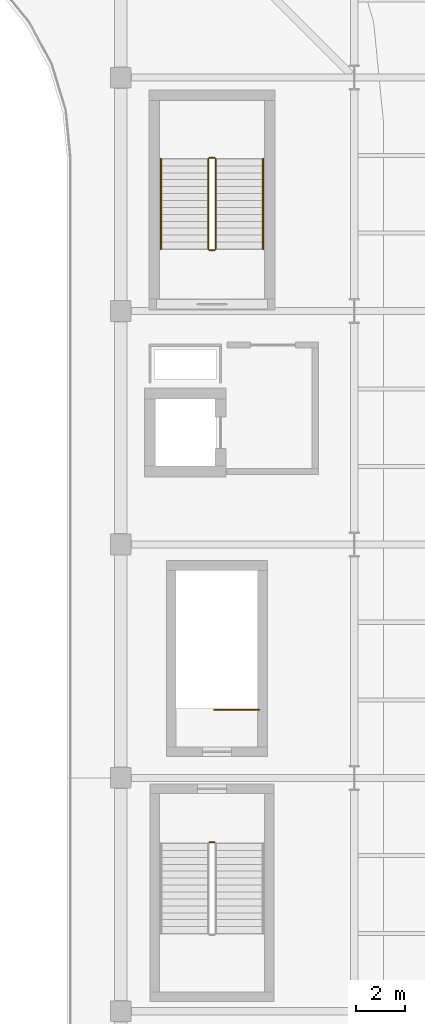
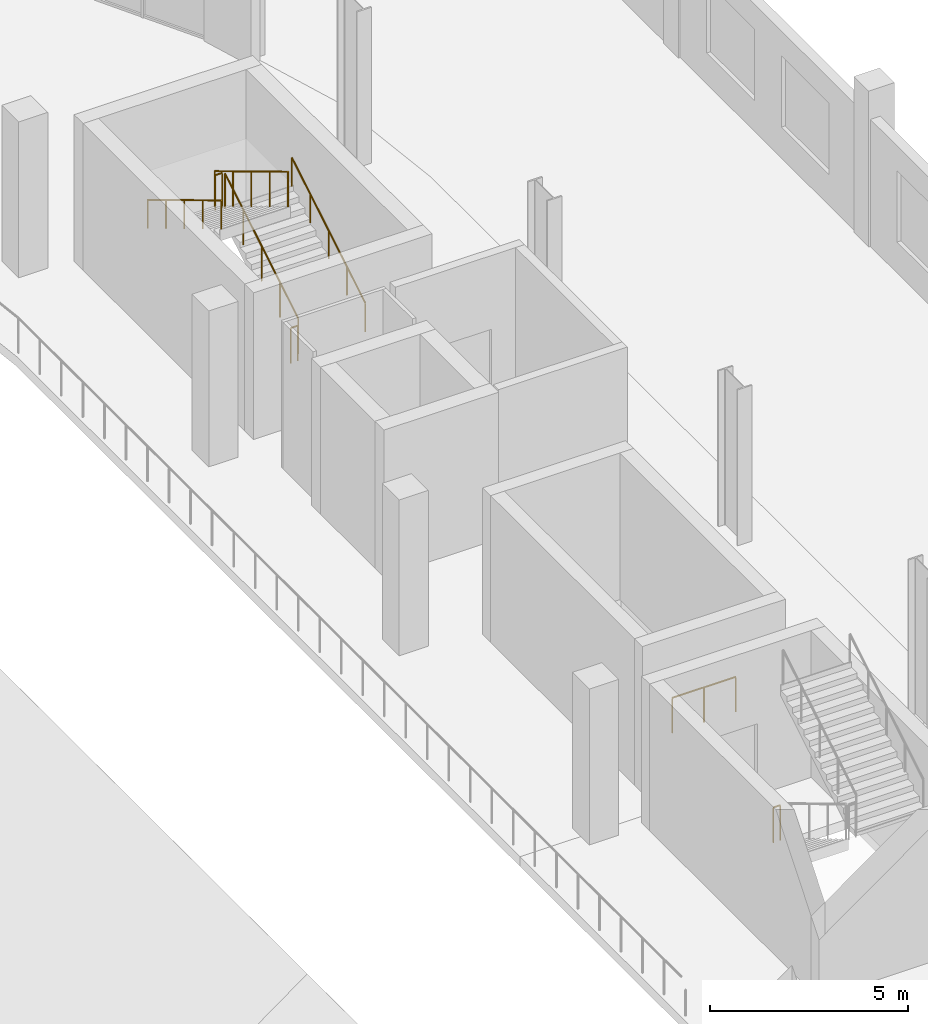
# One storey, part 95 of 99: 8 railings.
"""IFC4 building model written with IfcOpenShell, lengths in metres."""

from ifc_helpers import new_model, si_unit, direction, frame, origin, origin_2d, place, context, subcontext, project, spatial, circle, extrude, material, type_object, element, save


model = new_model("IFC4")

# Units and contexts
model_context = context("Model", 3, precision=1e-05, world=origin(), true_north=direction((0.0, 1.0)))
body_context = subcontext(model_context, "Body", "Model", "MODEL_VIEW")
ifc_project = project(units=[si_unit("LENGTHUNIT", "METRE"), si_unit("AREAUNIT", "SQUARE_METRE"), si_unit("VOLUMEUNIT", "CUBIC_METRE"), si_unit("PLANEANGLEUNIT", "RADIAN"), si_unit("MASSUNIT", "GRAM", prefix="KILO")], contexts=[model_context])

# Site, building, storey
site_placement = place(None, origin())
site = spatial("IfcSite", under=ifc_project, at=site_placement, CompositionType="ELEMENT")
building_placement = place(site_placement, origin())
building = spatial("IfcBuilding", under=site, at=building_placement, Name="Caelomonte Colonnade Arena", CompositionType="ELEMENT")
storey_placement = place(building_placement, frame((0.0, 0.0, 4.800048828125)))
storey = spatial("IfcBuildingStorey", under=building, at=storey_placement, Name="L01", CompositionType="ELEMENT", Elevation=4.800048828125)

# Railings
ifc_material_1 = material(Name="Painted galvanized steel stair guard", Category="steel")
railing_type_1 = type_object("IfcRailingType", Name="INT-RL-GRD", PredefinedType="GUARDRAIL", material=ifc_material_1)
railing_1_placement = place(storey_placement, frame((157.5, 88.949951171875, 0.17138671875)))
element("IfcRailing", 1, at=railing_1_placement, inside=storey, type_object=railing_type_1, Name="L01 ST-03 stair guard 1", PredefinedType="GUARDRAIL", context=body_context, shape_type="SweptSolid", body=[
    extrude(circle(Radius=0.02392578125, at=origin_2d()), frame((0.0, 0.0, 1.076171875), z_axis=(0.0, 0.856934400257, 0.515425487977), x_axis=(-1.0, 0.0, 0.0)), (0.0, 0.0, 1.0), 4.32373046875),
    extrude(circle(Radius=0.02099609375, at=origin_2d()), origin(), (0.0, 0.0, 1.0), 1.048095703125),
    extrude(circle(Radius=0.02099609375, at=origin_2d()), frame((0.0, 0.92626953125, 0.55712890625)), (0.0, 0.0, 1.0), 1.048095703125),
    extrude(circle(Radius=0.02099609375, at=origin_2d()), frame((0.0, 1.8525390625, 1.1142578125)), (0.0, 0.0, 1.0), 1.048095703125),
    extrude(circle(Radius=0.02099609375, at=origin_2d()), frame((0.0, 2.77880859375, 1.67138671875)), (0.0, 0.0, 1.0), 1.048095703125),
    extrude(circle(Radius=0.02099609375, at=origin_2d()), frame((0.0, 3.705078125, 2.228515625)), (0.0, 0.0, 1.0), 1.048095703125),
])
railing_2_placement = place(storey_placement, frame((157.449951171875, 92.705078125, 2.39990234375)))
element("IfcRailing", 2, at=railing_2_placement, inside=storey, type_object=railing_type_1, Name="L01 ST-03 stair guard 2", PredefinedType="GUARDRAIL", context=body_context, shape_type="SweptSolid", body=[
    extrude(circle(Radius=0.02392578125, at=origin_2d()), frame((0.0, 0.0, 1.076171875), z_axis=(-1.0, 0.0, 0.0), x_axis=(0.0, -1.0, 0.0)), (0.0, 0.0, 1.0), 0.199951171875),
    extrude(circle(Radius=0.02099609375, at=origin_2d()), origin(), (0.0, 0.0, 1.0), 1.048095703125),
    extrude(circle(Radius=0.02099609375, at=origin_2d()), frame((-0.199951171875, 0.0, 0.0)), (0.0, 0.0, 1.0), 1.048095703125),
])
railing_3_placement = place(storey_placement, frame((157.199951171875, 92.655029296875, 2.5712890625)))
element("IfcRailing", 3, at=railing_3_placement, inside=storey, type_object=railing_type_1, Name="L01 ST-03 stair guard 3", PredefinedType="GUARDRAIL", context=body_context, shape_type="SweptSolid", body=[
    extrude(circle(Radius=0.02392578125, at=origin_2d()), frame((0.0, 0.0, 1.076171875), z_axis=(0.0, -0.856909459561, 0.515466951525), x_axis=(1.0, 0.0, 0.0)), (0.0, 0.0, 1.0), 4.32373046875),
    extrude(circle(Radius=0.02099609375, at=origin_2d()), origin(), (0.0, 0.0, 1.0), 1.048095703125),
    extrude(circle(Radius=0.02099609375, at=origin_2d()), frame((0.0, -0.92626953125, 0.55712890625)), (0.0, 0.0, 1.0), 1.048095703125),
    extrude(circle(Radius=0.02099609375, at=origin_2d()), frame((0.0, -1.8525390625, 1.1142578125)), (0.0, 0.0, 1.0), 1.048095703125),
    extrude(circle(Radius=0.02099609375, at=origin_2d()), frame((0.0, -2.77880859375, 1.671630859375)), (0.0, 0.0, 1.0), 1.048095703125),
    extrude(circle(Radius=0.02099609375, at=origin_2d()), frame((0.0, -3.705078125, 2.228759765625)), (0.0, 0.0, 1.0), 1.048095703125),
])
railing_4_placement = place(storey_placement, frame((157.449951171875, 88.89990234375, 0.0)))
element("IfcRailing", 4, at=railing_4_placement, inside=storey, type_object=railing_type_1, Name="L01 ST-03 stair guard 4", PredefinedType="GUARDRAIL", context=body_context, shape_type="SweptSolid", body=[
    extrude(circle(Radius=0.02392578125, at=origin_2d()), frame((0.0, 0.0, 1.076171875), z_axis=(-1.0, 0.0, 0.0), x_axis=(0.0, -1.0, 0.0)), (0.0, 0.0, 1.0), 0.199951171875),
    extrude(circle(Radius=0.02099609375, at=origin_2d()), origin(), (0.0, 0.0, 1.0), 1.048095703125),
    extrude(circle(Radius=0.02099609375, at=origin_2d()), frame((-0.199951171875, 0.0, 0.0)), (0.0, 0.0, 1.0), 1.048095703125),
])
railing_5_placement = place(storey_placement, frame((157.25, 64.550048828125, 0.0)))
element("IfcRailing", 5, at=railing_5_placement, inside=storey, type_object=railing_type_1, Name="L01 ST-10 stair guard 4", PredefinedType="GUARDRAIL", context=body_context, shape_type="SweptSolid", body=[
    extrude(circle(Radius=0.02392578125, at=origin_2d()), frame((0.0, 0.0, 1.076171875), z_axis=(1.0, 0.0, 0.0), x_axis=(0.0, 1.0, 0.0)), (0.0, 0.0, 1.0), 0.199951171875),
    extrude(circle(Radius=0.02099609375, at=origin_2d()), origin(), (0.0, 0.0, 1.0), 1.048095703125),
    extrude(circle(Radius=0.02099609375, at=origin_2d()), frame((0.199951171875, 0.0, 0.0)), (0.0, 0.0, 1.0), 1.048095703125),
])
railing_6_placement = place(storey_placement, frame((159.300048828125, 70.0, 0.0)))
element("IfcRailing", 6, at=railing_6_placement, inside=storey, type_object=railing_type_1, Name="L01 ST-V08 top well guard 1", PredefinedType="GUARDRAIL", context=body_context, shape_type="SweptSolid", body=[
    extrude(circle(Radius=0.02392578125, at=origin_2d()), frame((0.0, 0.0, 1.076171875), z_axis=(-1.0, 0.0, 0.0), x_axis=(0.0, -1.0, 0.0)), (0.0, 0.0, 1.0), 1.85009765625),
    extrude(circle(Radius=0.02099609375, at=origin_2d()), origin(), (0.0, 0.0, 1.0), 1.048095703125),
    extrude(circle(Radius=0.02099609375, at=origin_2d()), frame((-0.925048828125, 0.0, 0.0)), (0.0, 0.0, 1.0), 1.048095703125),
    extrude(circle(Radius=0.02099609375, at=origin_2d()), frame((-1.85009765625, 0.0, 0.0)), (0.0, 0.0, 1.0), 1.048095703125),
])
ifc_material_2 = material(Name="Brushed stainless steel stair handrail", Category="steel")
railing_type_2 = type_object("IfcRailingType", Name="INT-RL-HR", PredefinedType="HANDRAIL", material=ifc_material_2)
railing_7_placement = place(storey_placement, frame((159.449951171875, 88.949951171875, 0.17138671875)))
element("IfcRailing", 7, at=railing_7_placement, inside=storey, type_object=railing_type_2, Name="L01 ST-03 stair handrail 1", PredefinedType="HANDRAIL", context=body_context, shape_type="SweptSolid", body=[
    extrude(circle(Radius=0.02392578125, at=origin_2d()), frame((0.0, 0.0, 0.8759765625), z_axis=(0.0, 0.856934400257, 0.515425487977), x_axis=(-1.0, 0.0, 0.0)), (0.0, 0.0, 1.0), 4.32373046875),
    extrude(circle(Radius=0.02099609375, at=origin_2d()), origin(), (0.0, 0.0, 1.0), 0.847900390625),
    extrude(circle(Radius=0.02099609375, at=origin_2d()), frame((0.0, 0.92626953125, 0.55712890625)), (0.0, 0.0, 1.0), 0.847900390625),
    extrude(circle(Radius=0.02099609375, at=origin_2d()), frame((0.0, 1.8525390625, 1.1142578125)), (0.0, 0.0, 1.0), 0.847900390625),
    extrude(circle(Radius=0.02099609375, at=origin_2d()), frame((0.0, 2.77880859375, 1.67138671875)), (0.0, 0.0, 1.0), 0.847900390625),
    extrude(circle(Radius=0.02099609375, at=origin_2d()), frame((0.0, 3.705078125, 2.228515625)), (0.0, 0.0, 1.0), 0.847900390625),
])
railing_8_placement = place(storey_placement, frame((155.25, 92.655029296875, 2.5712890625)))
element("IfcRailing", 8, at=railing_8_placement, inside=storey, type_object=railing_type_2, Name="L01 ST-03 stair handrail 2", PredefinedType="HANDRAIL", context=body_context, shape_type="SweptSolid", body=[
    extrude(circle(Radius=0.02392578125, at=origin_2d()), frame((0.0, 0.0, 0.8759765625), z_axis=(0.0, -0.856909459561, 0.515466951525), x_axis=(1.0, 0.0, 0.0)), (0.0, 0.0, 1.0), 4.32373046875),
    extrude(circle(Radius=0.02099609375, at=origin_2d()), origin(), (0.0, 0.0, 1.0), 0.847900390625),
    extrude(circle(Radius=0.02099609375, at=origin_2d()), frame((0.0, -0.92626953125, 0.55712890625)), (0.0, 0.0, 1.0), 0.847900390625),
    extrude(circle(Radius=0.02099609375, at=origin_2d()), frame((0.0, -1.8525390625, 1.1142578125)), (0.0, 0.0, 1.0), 0.847900390625),
    extrude(circle(Radius=0.02099609375, at=origin_2d()), frame((0.0, -2.77880859375, 1.671630859375)), (0.0, 0.0, 1.0), 0.847900390625),
    extrude(circle(Radius=0.02099609375, at=origin_2d()), frame((0.0, -3.705078125, 2.228759765625)), (0.0, 0.0, 1.0), 0.847900390625),
])

save(model, "model.ifc")
